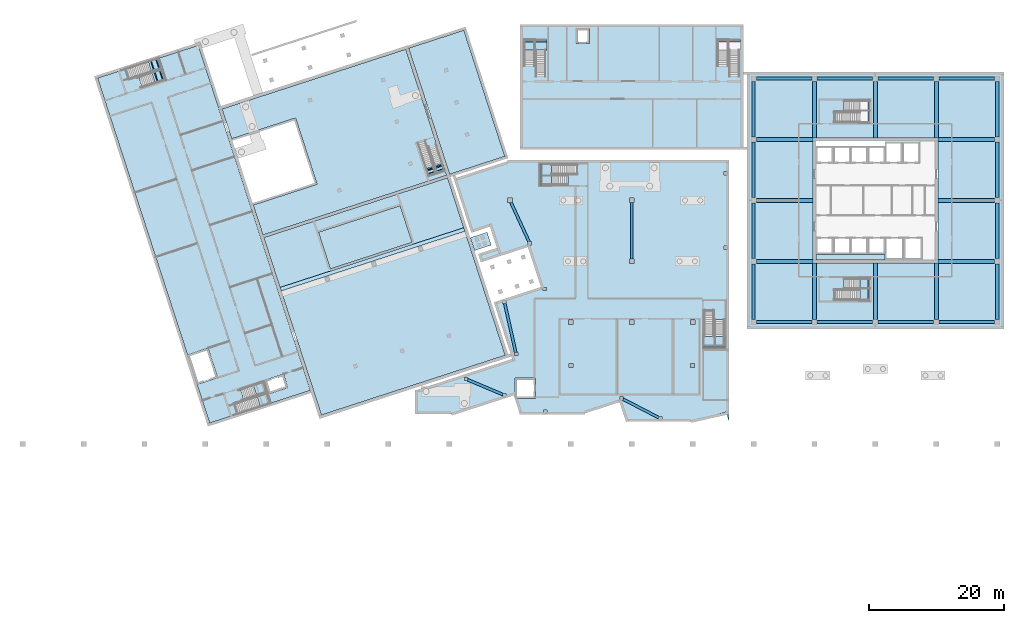
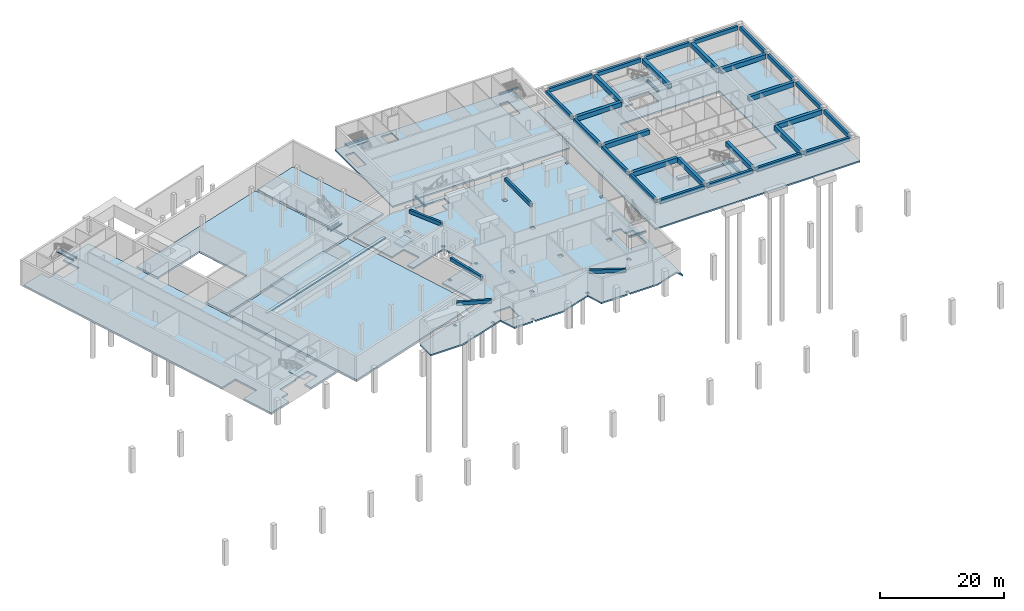
# One storey, part 2 of 15: 43 beams, 18 slabs, 7 elements without a shape of their own.
"""IFC4 building model written with IfcOpenShell, lengths in metres."""

from ifc_helpers import new_model, si_unit, direction, frame, origin, origin_2d, place, context, subcontext, project, spatial, polyline, rectangle, i_section, outline, extrude, material, layer, layer_set, material_profile, profile_set, type_object, element, aggregate, save


model = new_model("IFC4")

# Units and contexts
model_context = context("Model", 3, precision=1e-05, world=origin(), true_north=direction((0.0, 1.0)))
body_context = subcontext(model_context, "Body", "Model", "MODEL_VIEW")
ifc_project = project(units=[si_unit("LENGTHUNIT", "METRE"), si_unit("AREAUNIT", "SQUARE_METRE"), si_unit("VOLUMEUNIT", "CUBIC_METRE"), si_unit("PLANEANGLEUNIT", "RADIAN"), si_unit("MASSUNIT", "GRAM", prefix="KILO")], contexts=[model_context])

# Site, building, storey
site_placement = place(None, origin())
site = spatial("IfcSite", under=ifc_project, at=site_placement, CompositionType="ELEMENT")
building_placement = place(site_placement, origin())
building = spatial("IfcBuilding", under=site, at=building_placement, Name="Tuart Plaza Theatre", CompositionType="ELEMENT")
storey_placement = place(building_placement, frame((0.0, 0.0, -5.0)))
storey = spatial("IfcBuildingStorey", under=building, at=storey_placement, Name="B1", CompositionType="ELEMENT", Elevation=-5.0)

# Beams
ifc_material_1 = material(Name="Steel Grade 300", Category="steel")
ifc_material_profile_1 = material_profile(ifc_material_1, i_section(OverallWidth=0.14599609375, OverallDepth=0.256103515625, WebThickness=0.00634765625, FlangeThickness=0.010986328125, FilletRadius=0.0087890625, at=origin_2d()), Name="250UB37.3")
ifc_profile_set_1 = profile_set([ifc_material_profile_1], Name="Steel Grade 300")
beam_type_1 = type_object("IfcBeamType", Name="BEAM 250UB37.3", PredefinedType="BEAM", material=ifc_profile_set_1)
for number, where, z_axis, x_axis, name in (
    (1, (25.712158203125, 94.8828125, 2.172119140625), (0.309003676349, -0.951060843481, 0.0), (0.951060843481, 0.309003676349, 0.0), "SB15"),
    (2, (24.93701171875, 94.631103515625, 2.172119140625), (0.309003676349, -0.951060843481, 0.0), (0.951060843481, 0.309003676349, 0.0), "SB16"),
):
    element("IfcBeam", number, at=place(storey_placement, frame(where, z_axis=z_axis, x_axis=x_axis)), inside=storey, type_object=beam_type_1, Name=name, PredefinedType="BEAM", context=body_context, shape_type="SweptSolid", body=[
        extrude(i_section(OverallWidth=0.14599609375, OverallDepth=0.256103515625, WebThickness=0.00634765625, FlangeThickness=0.010986328125, FilletRadius=0.0087890625, at=origin_2d()), origin(), (0.0, 0.0, 1.0), 3.35009765625),
    ])
beam_1_placement = place(storey_placement, frame((65.6162109375, 78.399658203125, 2.172119140625), z_axis=(0.951047482505, 0.309044796138, 0.0), x_axis=(-0.309044796138, 0.951047482505, 0.0)))
element("IfcBeam", 3, at=beam_1_placement, inside=storey, type_object=beam_type_1, Name="SB53", PredefinedType="BEAM", context=body_context, shape_type="SweptSolid", body=[
    extrude(i_section(OverallWidth=0.14599609375, OverallDepth=0.256103515625, WebThickness=0.00634765625, FlangeThickness=0.010986328125, FilletRadius=0.0087890625, at=origin_2d()), origin(), (0.0, 0.0, 1.0), 2.6748046875),
])
beam_2_placement = place(storey_placement, frame((65.80615234375, 77.814697265625, 2.172119140625), z_axis=(0.951056198577, 0.309017972208, 0.0), x_axis=(-0.309017972208, 0.951056198577, 0.0)))
element("IfcBeam", 4, at=beam_2_placement, inside=storey, type_object=beam_type_1, Name="SB54", PredefinedType="BEAM", context=body_context, shape_type="SweptSolid", body=[
    extrude(i_section(OverallWidth=0.14599609375, OverallDepth=0.256103515625, WebThickness=0.00634765625, FlangeThickness=0.010986328125, FilletRadius=0.0087890625, at=origin_2d()), origin(), (0.0, 0.0, 1.0), 2.675048828125),
])
ifc_material_2 = material(Name="Concrete N40 (40 MPa)", Category="concrete")
ifc_material_profile_2 = material_profile(ifc_material_2, rectangle(XDim=0.300048828125, YDim=0.300048828125, at=origin_2d()), Name="BEAM 300x300 Concrete N40 (40 MPa)")
ifc_profile_set_2 = profile_set([ifc_material_profile_2], Name="Concrete N40 (40 MPa)")
beam_type_2 = type_object("IfcBeamType", Name="BEAM 300x300 Concrete N40 (40 MPa)", PredefinedType="BEAM", material=ifc_profile_set_2)
beam_3_placement = place(storey_placement, frame((106.60009765625, 52.35205078125, 2.14990234375), z_axis=(1.0, 0.0, 0.0), x_axis=(0.0, 1.0, 0.0)))
element("IfcBeam", 5, at=beam_3_placement, inside=storey, type_object=beam_type_2, Name="RB63", PredefinedType="BEAM", context=body_context, shape_type="SweptSolid", body=[
    extrude(rectangle(XDim=0.300048828125, YDim=0.300048828125, at=origin_2d()), origin(), (0.0, 0.0, 1.0), 3.14990234375),
])
beam_4_placement = place(storey_placement, frame((82.552001953125, 79.35009765625, 2.14990234375), z_axis=(0.0, -1.0, 0.0), x_axis=(1.0, 0.0, 0.0)))
element("IfcBeam", 6, at=beam_4_placement, inside=storey, type_object=beam_type_2, Name="RB65", PredefinedType="BEAM", context=body_context, shape_type="SweptSolid", body=[
    extrude(rectangle(XDim=0.300048828125, YDim=0.300048828125, at=origin_2d()), origin(), (0.0, 0.0, 1.0), 3.150146484375),
])
for number, where, z_axis, x_axis, name in (
    (7, (131.080078125, 59.175048828125, 2.14990234375), (0.0, 1.0, 0.0), (-1.0, 0.0, 0.0), "RB545"),
    (8, (131.080078125, 85.425048828125, 2.14990234375), (0.0, 1.0, 0.0), (-1.0, 0.0, 0.0), "RB547"),
):
    element("IfcBeam", number, at=place(storey_placement, frame(where, z_axis=z_axis, x_axis=x_axis)), inside=storey, type_object=beam_type_2, Name=name, PredefinedType="BEAM", context=body_context, shape_type="SweptSolid", body=[
        extrude(rectangle(XDim=0.300048828125, YDim=0.300048828125, at=origin_2d()), origin(), (0.0, 0.0, 1.0), 3.39990234375),
    ])
for number, where, z_axis, x_axis, name in (
    (9, (79.89990234375, 97.570068359375, 2.14990234375), (1.0, 0.0, 0.0), (0.0, 1.0, 0.0), "RB551"),
    (10, (108.5, 97.570068359375, 2.14990234375), (1.0, 0.0, 0.0), (0.0, 1.0, 0.0), "RB553"),
):
    element("IfcBeam", number, at=place(storey_placement, frame(where, z_axis=z_axis, x_axis=x_axis)), inside=storey, type_object=beam_type_2, Name=name, PredefinedType="BEAM", context=body_context, shape_type="SweptSolid", body=[
        extrude(rectangle(XDim=0.300048828125, YDim=0.300048828125, at=origin_2d()), origin(), (0.0, 0.0, 1.0), 3.60009765625),
    ])
ifc_material_3 = material(Name="Concrete N40 (40 MPa)", Category="concrete")
ifc_material_profile_3 = material_profile(ifc_material_3, rectangle(XDim=0.39990234375, YDim=0.699951171875, at=origin_2d()), Name="BEAM 400x700 Concrete N40 (40 MPa)")
ifc_profile_set_3 = profile_set([ifc_material_profile_3], Name="Concrete N40 (40 MPa)")
beam_type_3 = type_object("IfcBeamType", Name="BEAM 400x700 Concrete N40 (40 MPa)", PredefinedType="BEAM", material=ifc_profile_set_3)
beam_5_placement = place(storey_placement, frame((78.161865234375, 73.64990234375, 4.300048828125), z_axis=(0.419496397919, -0.907757000597, 0.0), x_axis=(0.907757000597, 0.419496397919, 0.0)))
element("IfcBeam", 11, at=beam_5_placement, inside=storey, type_object=beam_type_3, Name="RB432", PredefinedType="BEAM", context=body_context, shape_type="SweptSolid", body=[
    extrude(rectangle(XDim=0.39990234375, YDim=0.699951171875, at=origin_2d()), origin(), (0.0, 0.0, 1.0), 6.3232421875),
])
beam_6_placement = place(storey_placement, frame((96.0, 65.35009765625, 4.300048828125), z_axis=(0.0, 1.0, 0.0), x_axis=(-1.0, 0.0, 0.0)))
element("IfcBeam", 12, at=beam_6_placement, inside=storey, type_object=beam_type_3, Name="RB433", PredefinedType="BEAM", context=body_context, shape_type="SweptSolid", body=[
    extrude(rectangle(XDim=0.39990234375, YDim=0.699951171875, at=origin_2d()), origin(), (0.0, 0.0, 1.0), 8.2998046875),
])
beam_7_placement = place(storey_placement, frame((99.949951171875, 41.909912109375, 4.300048828125), z_axis=(-0.887507502734, 0.46079326448, 0.0), x_axis=(-0.46079326448, -0.887507502734, 0.0)))
element("IfcBeam", 13, at=beam_7_placement, inside=storey, type_object=beam_type_3, Name="RB434", PredefinedType="BEAM", context=body_context, shape_type="SweptSolid", body=[
    extrude(rectangle(XDim=0.39990234375, YDim=0.699951171875, at=origin_2d()), origin(), (0.0, 0.0, 1.0), 5.881591796875),
])
beam_8_placement = place(storey_placement, frame((76.949951171875, 45.30517578125, 4.300048828125), z_axis=(-0.921635375138, 0.388057000058, 0.0), x_axis=(-0.388057000058, -0.921635375138, 0.0)))
element("IfcBeam", 14, at=beam_8_placement, inside=storey, type_object=beam_type_3, Name="RB435", PredefinedType="BEAM", context=body_context, shape_type="SweptSolid", body=[
    extrude(rectangle(XDim=0.39990234375, YDim=0.699951171875, at=origin_2d()), origin(), (0.0, 0.0, 1.0), 5.64208984375),
])
beam_9_placement = place(storey_placement, frame((78.843994140625, 51.550048828125, 4.300048828125), z_axis=(-0.218187204822, 0.975906933909, 0.0), x_axis=(-0.975906933909, -0.218187204822, 0.0)))
element("IfcBeam", 15, at=beam_9_placement, inside=storey, type_object=beam_type_3, Name="RB436", PredefinedType="BEAM", context=body_context, shape_type="SweptSolid", body=[
    extrude(rectangle(XDim=0.39990234375, YDim=0.699951171875, at=origin_2d()), origin(), (0.0, 0.0, 1.0), 7.36279296875),
])
ifc_material_4 = material(Name="Concrete N40 (40 MPa)", Category="concrete")
ifc_material_profile_4 = material_profile(ifc_material_4, rectangle(XDim=0.449951171875, YDim=0.75, at=origin_2d()), Name="BEAM 450x750 Concrete N40 (40 MPa)")
ifc_profile_set_4 = profile_set([ifc_material_profile_4], Name="Concrete N40 (40 MPa)")
beam_type_4 = type_object("IfcBeamType", Name="BEAM 450x750 Concrete N40 (40 MPa)", PredefinedType="BEAM", material=ifc_profile_set_4)
for number, where, z_axis, x_axis, name in (
    (16, (114.0, 56.39990234375, 4.205078125), (0.0, 1.0, 0.0), (-1.0, 0.0, 0.0), "RB94"),
    (17, (114.39990234375, 56.0, 4.205078125), (1.0, 0.0, 0.0), (0.0, 1.0, 0.0), "RB95"),
    (18, (114.0, 65.39990234375, 4.205078125), (0.0, 1.0, 0.0), (-1.0, 0.0, 0.0), "RB96"),
    (19, (114.0, 74.39990234375, 4.205078125), (0.0, 1.0, 0.0), (-1.0, 0.0, 0.0), "RB98"),
    (20, (114.0, 83.39990234375, 4.205078125), (0.0, 1.0, 0.0), (-1.0, 0.0, 0.0), "RB100"),
    (21, (114.39990234375, 92.0, 4.205078125), (1.0, 0.0, 0.0), (0.0, 1.0, 0.0), "RB102"),
    (22, (123.39990234375, 56.0, 4.205078125), (1.0, 0.0, 0.0), (0.0, 1.0, 0.0), "RB104"),
    (23, (123.39990234375, 92.0, 4.205078125), (1.0, 0.0, 0.0), (0.0, 1.0, 0.0), "RB106"),
    (24, (132.39990234375, 56.0, 4.205078125), (1.0, 0.0, 0.0), (0.0, 1.0, 0.0), "RB108"),
    (25, (132.39990234375, 92.0, 4.205078125), (1.0, 0.0, 0.0), (0.0, 1.0, 0.0), "RB110"),
    (26, (141.39990234375, 56.0, 4.205078125), (1.0, 0.0, 0.0), (0.0, 1.0, 0.0), "RB112"),
    (27, (141.39990234375, 92.0, 4.205078125), (1.0, 0.0, 0.0), (0.0, 1.0, 0.0), "RB114"),
    (28, (150.0, 56.39990234375, 4.205078125), (0.0, 1.0, 0.0), (-1.0, 0.0, 0.0), "RB118"),
    (29, (150.0, 65.39990234375, 4.205078125), (0.0, 1.0, 0.0), (-1.0, 0.0, 0.0), "RB119"),
    (30, (150.0, 74.39990234375, 4.205078125), (0.0, 1.0, 0.0), (-1.0, 0.0, 0.0), "RB120"),
    (31, (150.0, 83.39990234375, 4.205078125), (0.0, 1.0, 0.0), (-1.0, 0.0, 0.0), "RB121"),
):
    element("IfcBeam", number, at=place(storey_placement, frame(where, z_axis=z_axis, x_axis=x_axis)), inside=storey, type_object=beam_type_4, Name=name, PredefinedType="BEAM", context=body_context, shape_type="SweptSolid", body=[
        extrude(rectangle(XDim=0.449951171875, YDim=0.75, at=origin_2d()), origin(), (0.0, 0.0, 1.0), 8.2001953125),
    ])
ifc_material_5 = material(Name="Concrete N40 (40 MPa)", Category="concrete")
ifc_material_profile_5 = material_profile(ifc_material_5, rectangle(XDim=0.60009765625, YDim=0.89990234375, at=origin_2d()), Name="BEAM 600x900 Concrete N40 (40 MPa)")
ifc_profile_set_5 = profile_set([ifc_material_profile_5], Name="Concrete N40 (40 MPa)")
beam_type_5 = type_object("IfcBeamType", Name="BEAM 600x900 Concrete N40 (40 MPa)", PredefinedType="BEAM", material=ifc_profile_set_5)
for number, where, z_axis, x_axis, name in (
    (32, (114.39990234375, 65.0, 4.1298828125), (1.0, 0.0, 0.0), (0.0, 1.0, 0.0), "RB97"),
    (33, (114.39990234375, 74.0, 4.1298828125), (1.0, 0.0, 0.0), (0.0, 1.0, 0.0), "RB99"),
    (34, (114.39990234375, 83.0, 4.1298828125), (1.0, 0.0, 0.0), (0.0, 1.0, 0.0), "RB101"),
    (35, (123.0, 56.39990234375, 4.1298828125), (0.0, 1.0, 0.0), (-1.0, 0.0, 0.0), "RB103"),
    (36, (123.0, 83.22509765625, 4.1298828125), (0.0, 1.0, 0.0), (-1.0, 0.0, 0.0), "RB105"),
    (37, (132.0, 56.39990234375, 4.1298828125), (0.0, 1.0, 0.0), (-1.0, 0.0, 0.0), "RB107"),
    (38, (132.0, 83.22509765625, 4.1298828125), (0.0, 1.0, 0.0), (-1.0, 0.0, 0.0), "RB109"),
    (39, (141.0, 56.39990234375, 4.1298828125), (0.0, 1.0, 0.0), (-1.0, 0.0, 0.0), "RB111"),
    (40, (141.0, 83.22509765625, 4.1298828125), (0.0, 1.0, 0.0), (-1.0, 0.0, 0.0), "RB113"),
    (41, (141.22509765625, 65.0, 4.1298828125), (1.0, 0.0, 0.0), (0.0, 1.0, 0.0), "RB115"),
    (42, (141.22509765625, 74.0, 4.1298828125), (1.0, 0.0, 0.0), (0.0, 1.0, 0.0), "RB116"),
    (43, (141.22509765625, 83.0, 4.1298828125), (1.0, 0.0, 0.0), (0.0, 1.0, 0.0), "RB117"),
):
    element("IfcBeam", number, at=place(storey_placement, frame(where, z_axis=z_axis, x_axis=x_axis)), inside=storey, type_object=beam_type_5, Name=name, PredefinedType="BEAM", context=body_context, shape_type="SweptSolid", body=[
        extrude(rectangle(XDim=0.60009765625, YDim=0.89990234375, at=origin_2d()), origin(), (0.0, 0.0, 1.0), 8.375),
    ])

# Slabs
ifc_material_6 = material(Name="Concrete N40 (40 MPa)", Category="concrete")
ifc_layer_1 = layer(ifc_material_6, 0.300048828125)
ifc_layer_set_1 = layer_set([ifc_layer_1], Name="SLAB Base 300 Concrete N40 (40 MPa)")
slab_type_1 = type_object("IfcSlabType", Name="SLAB Base 300 Concrete N40 (40 MPa)", PredefinedType="BASESLAB", material=ifc_layer_set_1)
slab_1_placement = place(storey_placement, frame((0.0, 0.0, 3.199951171875)))
element("IfcSlab", 44, at=slab_1_placement, inside=storey, type_object=slab_type_1, Name="S16", PredefinedType="BASESLAB", context=body_context, shape_type="SweptSolid", body=[
    extrude(outline(polyline([(75.23876953125, 67.391845703125), (74.62060546875, 69.294189453125), (72.14794921875, 68.49072265625), (72.765869140625, 66.588623046875), (75.23876953125, 67.391845703125)])), origin(), (0.0, 0.0, 1.0), 0.300048828125),
])
ifc_material_7 = material(Name="Concrete N40 (40 MPa)", Category="concrete")
ifc_layer_2 = layer(ifc_material_7, 0.35009765625)
ifc_layer_set_2 = layer_set([ifc_layer_2], Name="SLAB Base 350 Concrete N40 (40 MPa)")
slab_type_2 = type_object("IfcSlabType", Name="SLAB Base 350 Concrete N40 (40 MPa)", PredefinedType="BASESLAB", material=ifc_layer_set_2)
slab_2_placement = place(storey_placement, frame((0.0, 0.0, -0.35009765625)))
element("IfcSlab", 45, at=slab_2_placement, inside=storey, type_object=slab_type_2, Name="S20", PredefinedType="BASESLAB", context=body_context, shape_type="SweptSolid", body=[
    extrude(outline(polyline([(77.297119140625, 51.10595703125), (68.77587890625, 77.331298828125), (41.623291015625, 68.5087890625), (50.14453125, 42.283447265625), (77.297119140625, 51.10595703125)])), origin(), (0.0, 0.0, 1.0), 0.35009765625),
])
slab_3_placement = place(storey_placement, frame((0.0, 0.0, -0.35009765625)))
element("IfcSlab", 46, at=slab_3_placement, inside=storey, type_object=slab_type_2, Name="S21", PredefinedType="BASESLAB", context=body_context, shape_type="SweptSolid", body=[
    extrude(outline(polyline([(46.319091796875, 86.174560546875), (49.501953125, 76.378662109375), (40.062744140625, 73.311767578125), (41.499755859375, 68.889404296875), (68.65234375, 77.711669921875), (62.603271484375, 96.32861328125), (35.45068359375, 87.50634765625), (36.8798828125, 83.107666015625), (46.319091796875, 86.174560546875)])), origin(), (0.0, 0.0, 1.0), 0.35009765625),
])
slab_4_placement = place(storey_placement, frame((0.0, 0.0, -0.35009765625)))
element("IfcSlab", 47, at=slab_4_placement, inside=storey, type_object=slab_type_2, Name="S22", PredefinedType="BASESLAB", context=body_context, shape_type="SweptSolid", body=[
    extrude(outline(polyline([(77.235595703125, 80.500732421875), (71.178955078125, 99.141357421875), (63.023681640625, 96.491455078125), (69.080322265625, 77.850830078125), (77.235595703125, 80.500732421875)])), origin(), (0.0, 0.0, 1.0), 0.35009765625),
])
ifc_material_8 = material(Name="Concrete N40 (40 MPa)", Category="concrete")
ifc_layer_3 = layer(ifc_material_8, 0.25)
ifc_layer_set_3 = layer_set([ifc_layer_3], Name="SLAB Floor 250 Concrete N40 (40 MPa)")
slab_type_3 = type_object("IfcSlabType", Name="SLAB Floor 250 Concrete N40 (40 MPa)", PredefinedType="FLOOR", material=ifc_layer_set_3)
slab_5_placement = place(storey_placement, frame((0.0, 0.0, 3.85009765625)))
element("IfcSlab", 48, at=slab_5_placement, inside=storey, type_object=slab_type_3, Name="S47", PredefinedType="FLOOR", context=body_context, shape_type="SweptSolid", body=[
    extrude(outline(polyline([(71.3408203125, 69.4375), (71.1708984375, 69.960693359375), (44.018310546875, 61.13818359375), (44.188232421875, 60.615234375), (71.3408203125, 69.4375)])), origin(), (0.0, 0.0, 1.0), 0.25),
])
ifc_material_9 = material(Name="Concrete N40 (40 MPa)", Category="concrete")
ifc_layer_4 = layer(ifc_material_9, 0.300048828125)
ifc_layer_set_4 = layer_set([ifc_layer_4], Name="SLAB Floor 300 Concrete N40 (40 MPa)")
slab_type_4 = type_object("IfcSlabType", Name="SLAB Floor 300 Concrete N40 (40 MPa)", PredefinedType="FLOOR", material=ifc_layer_set_4)
slab_6_placement = place(storey_placement, frame((0.0, 0.0, -0.300048828125)))
element("IfcSlab", 49, at=slab_6_placement, inside=storey, type_object=slab_type_4, Name="S69", PredefinedType="FLOOR", context=body_context, shape_type="SweptSolid", body=[
    extrude(outline(polyline([(78.36181640625, 50.5634765625), (64.02001953125, 45.903564453125), (64.02001953125, 42.419921875), (69.996826171875, 42.419921875), (78.572265625, 45.206298828125), (79.501220703125, 42.347900390625), (82.949951171875, 42.347900390625), (82.949951171875, 43.030029296875), (83.449951171875, 43.030029296875), (83.449951171875, 42.347900390625), (88.4833984375, 42.347900390625), (94.205810546875, 44.207275390625), (95.134521484375, 41.348876953125), (99.949951171875, 41.348876953125), (99.949951171875, 42.030029296875), (100.449951171875, 42.030029296875), (100.449951171875, 41.348876953125), (105.61669921875, 41.348876953125), (109.91259765625, 42.74462890625), (110.34326171875, 41.419189453125), (110.343017578125, 66.75), (109.659912109375, 66.75), (109.659912109375, 67.25), (110.343017578125, 67.25), (110.343017578125, 77.75), (109.659912109375, 77.75), (109.659912109375, 78.25), (110.343017578125, 78.25), (110.343017578125, 79.967041015625), (78.246826171875, 79.967041015625), (69.70947265625, 77.193115234375), (72.292724609375, 69.2421875), (75.05078125, 70.13818359375), (76.0830078125, 66.9619140625), (73.324951171875, 66.065673828125), (73.71435546875, 64.8671875), (80.656982421875, 67.123046875), (82.585205078125, 61.1884765625), (75.642578125, 58.9326171875), (78.36181640625, 50.5634765625)]), holes=[polyline([(76.931640625, 59.2353515625), (76.931640625, 58.7353515625), (77.431640625, 58.7353515625), (77.431640625, 59.2353515625), (76.931640625, 59.2353515625)]), polyline([(78.75, 44.75), (81.75, 44.75), (81.75, 47.75), (78.75, 47.75), (78.75, 44.75)]), polyline([(77.449951171875, 44.949951171875), (77.449951171875, 45.449951171875), (76.949951171875, 45.449951171875), (76.949951171875, 44.949951171875), (77.449951171875, 44.949951171875)]), polyline([(106.60009765625, 53.949951171875), (106.60009765625, 52.199951171875), (109.75, 52.199951171875), (109.75, 53.949951171875), (109.699951171875, 53.949951171875), (109.699951171875, 56.3798828125), (108.175048828125, 56.3798828125), (108.175048828125, 57.739990234375), (106.64990234375, 57.739990234375), (106.64990234375, 53.949951171875), (106.60009765625, 53.949951171875)]), polyline([(104.64990234375, 56.35009765625), (104.64990234375, 55.64990234375), (105.35009765625, 55.64990234375), (105.35009765625, 56.35009765625), (104.64990234375, 56.35009765625)]), polyline([(104.699951171875, 49.300048828125), (105.300048828125, 49.300048828125), (105.300048828125, 49.89990234375), (104.699951171875, 49.89990234375), (104.699951171875, 49.300048828125)]), polyline([(95.64990234375, 55.64990234375), (96.35009765625, 55.64990234375), (96.35009765625, 56.35009765625), (95.64990234375, 56.35009765625), (95.64990234375, 55.64990234375)]), polyline([(95.64990234375, 65.35009765625), (95.64990234375, 64.64990234375), (96.35009765625, 64.64990234375), (96.35009765625, 65.35009765625), (95.64990234375, 65.35009765625)]), polyline([(95.64990234375, 74.35009765625), (95.64990234375, 73.64990234375), (96.35009765625, 73.64990234375), (96.35009765625, 74.35009765625), (95.64990234375, 74.35009765625)]), polyline([(94.22998046875, 44.5), (94.72998046875, 44.5), (94.72998046875, 45.0), (94.22998046875, 45.0), (94.22998046875, 44.5)]), polyline([(84.14990234375, 76.199951171875), (84.14990234375, 76.25), (86.580078125, 76.25), (86.580078125, 77.77490234375), (87.93994140625, 77.77490234375), (87.93994140625, 79.300048828125), (84.14990234375, 79.300048828125), (84.14990234375, 79.35009765625), (82.39990234375, 79.35009765625), (82.39990234375, 76.199951171875), (84.14990234375, 76.199951171875)]), polyline([(86.64990234375, 56.35009765625), (86.64990234375, 55.64990234375), (87.35009765625, 55.64990234375), (87.35009765625, 56.35009765625), (86.64990234375, 56.35009765625)]), polyline([(86.699951171875, 49.89990234375), (86.699951171875, 49.300048828125), (87.300048828125, 49.300048828125), (87.300048828125, 49.89990234375), (86.699951171875, 49.89990234375)]), polyline([(82.8798828125, 61.159912109375), (82.8798828125, 60.659912109375), (83.3798828125, 60.659912109375), (83.3798828125, 61.159912109375), (82.8798828125, 61.159912109375)]), polyline([(80.679931640625, 67.409912109375), (81.179931640625, 67.409912109375), (81.179931640625, 67.909912109375), (80.679931640625, 67.909912109375), (80.679931640625, 67.409912109375)]), polyline([(78.64990234375, 51.050048828125), (79.14990234375, 51.050048828125), (79.14990234375, 51.550048828125), (78.64990234375, 51.550048828125), (78.64990234375, 51.050048828125)]), polyline([(77.64990234375, 74.35009765625), (77.64990234375, 73.64990234375), (78.35009765625, 73.64990234375), (78.35009765625, 74.35009765625), (77.64990234375, 74.35009765625)]), polyline([(71.25, 47.85009765625), (71.25, 47.35009765625), (71.75, 47.35009765625), (71.75, 47.85009765625), (71.25, 47.85009765625)])]), origin(), (0.0, 0.0, 1.0), 0.300048828125),
])
slab_7_placement = place(storey_placement, frame((0.0, 0.0, -0.300048828125)))
element("IfcSlab", 50, at=slab_7_placement, inside=storey, type_object=slab_type_4, Name="S76", PredefinedType="FLOOR", context=body_context, shape_type="SweptSolid", body=[
    extrude(outline(polyline([(113.0, 93.0), (113.0, 55.0), (151.0, 55.0), (151.0, 93.0), (113.0, 93.0)]), holes=[polyline([(122.77490234375, 64.77490234375), (141.22509765625, 64.77490234375), (141.22509765625, 83.22509765625), (122.77490234375, 83.22509765625), (122.77490234375, 64.77490234375)]), polyline([(131.27001953125, 62.5), (127.389892578125, 62.5), (127.389892578125, 60.875), (125.929931640625, 60.875), (125.929931640625, 59.25), (131.27001953125, 59.25), (131.27001953125, 62.5)]), polyline([(131.27001953125, 85.5), (131.27001953125, 88.75), (127.389892578125, 88.75), (127.389892578125, 87.125), (125.929931640625, 87.125), (125.929931640625, 85.5), (131.27001953125, 85.5)])]), origin(), (0.0, 0.0, 1.0), 0.300048828125),
])
slab_8_placement = place(storey_placement, frame((0.0, 0.0, -0.300048828125)))
element("IfcSlab", 51, at=slab_8_placement, inside=storey, type_object=slab_type_4, Name="S78", PredefinedType="FLOOR", context=body_context, shape_type="SweptSolid", body=[
    extrude(outline(polyline([(123.22509765625, 66.02490234375), (123.22509765625, 65.22509765625), (133.425048828125, 65.22509765625), (133.425048828125, 66.02490234375), (123.22509765625, 66.02490234375)])), origin(), (0.0, 0.0, 1.0), 0.300048828125),
])
slab_9_placement = place(storey_placement, frame((0.0, 0.0, -0.300048828125)))
element("IfcSlab", 52, at=slab_9_placement, inside=storey, type_object=slab_type_4, Name="S109", PredefinedType="FLOOR", context=body_context, shape_type="SweptSolid", body=[
    extrude(outline(polyline([(112.5, 81.5), (112.5, 100.0), (79.5, 100.0), (79.5, 81.5), (112.5, 81.5)]), holes=[polyline([(110.300048828125, 93.820068359375), (110.300048828125, 97.77001953125), (108.675048828125, 97.77001953125), (108.675048828125, 93.820068359375), (110.300048828125, 93.820068359375)]), polyline([(87.739990234375, 97.199951171875), (89.739990234375, 97.199951171875), (89.739990234375, 99.39990234375), (87.739990234375, 99.39990234375), (87.739990234375, 97.199951171875)]), polyline([(81.699951171875, 93.820068359375), (81.699951171875, 97.77001953125), (80.074951171875, 97.77001953125), (80.074951171875, 93.820068359375), (81.699951171875, 93.820068359375)])]), origin(), (0.0, 0.0, 1.0), 0.300048828125),
])
ifc_material_10 = material(Name="Concrete N40 (40 MPa)", Category="concrete")
ifc_layer_5 = layer(ifc_material_10, 0.35009765625)
ifc_layer_set_5 = layer_set([ifc_layer_5], Name="SLAB Floor 350 Concrete N40 (40 MPa)")
slab_type_5 = type_object("IfcSlabType", Name="SLAB Floor 350 Concrete N40 (40 MPa)", PredefinedType="FLOOR", material=ifc_layer_set_5)
slab_10_placement = place(storey_placement, frame((0.0, 0.0, -0.35009765625)))
element("IfcSlab", 53, at=slab_10_placement, inside=storey, type_object=slab_type_5, Name="S19", PredefinedType="FLOOR", context=body_context, shape_type="SweptSolid", body=[
    extrude(outline(polyline([(17.064453125, 92.0732421875), (30.352294921875, 51.177734375), (33.395751953125, 52.16650390625), (34.817138671875, 47.791748046875), (31.773681640625, 46.802978515625), (33.6279296875, 41.096435546875), (37.726806640625, 42.428466796875), (37.217041015625, 43.99755859375), (38.70068359375, 44.479736328125), (38.17529296875, 46.096435546875), (41.627685546875, 47.21826171875), (41.61279296875, 47.263916015625), (41.80322265625, 47.32568359375), (41.771484375, 47.422607421875), (44.529541015625, 48.31884765625), (45.178466796875, 46.321533203125), (42.27783203125, 45.379150390625), (42.71044921875, 44.047607421875), (48.511962890625, 45.9326171875), (31.948486328125, 96.9091796875), (26.147216796875, 95.024169921875), (27.197265625, 91.79248046875), (27.149658203125, 91.777099609375), (27.134765625, 91.82275390625), (23.6826171875, 90.700927734375), (23.1572265625, 92.31787109375), (21.673583984375, 91.835693359375), (21.16357421875, 93.405029296875), (17.064453125, 92.0732421875)])), origin(), (0.0, 0.0, 1.0), 0.35009765625),
])
ifc_material_11 = material(Name="Concrete N40 (40 MPa)", Category="concrete")
ifc_layer_6 = layer(ifc_material_11, 0.39990234375)
ifc_layer_set_6 = layer_set([ifc_layer_6], Name="SLAB Floor 400 Concrete N40 (40 MPa)")
slab_type_6 = type_object("IfcSlabType", Name="SLAB Floor 400 Concrete N40 (40 MPa)", PredefinedType="FLOOR", material=ifc_layer_set_6)
slab_11_placement = place(storey_placement, frame((0.0, 0.0, 2.10009765625)))
element("IfcSlab", 54, at=slab_11_placement, inside=storey, type_object=slab_type_6, Name="S50", PredefinedType="FLOOR", context=body_context, shape_type="SweptSolid", body=[
    extrude(outline(polyline([(63.541015625, 67.797119140625), (61.779541015625, 73.218017578125), (49.701171875, 69.29345703125), (51.462646484375, 63.87255859375), (63.541015625, 67.797119140625)])), origin(), (0.0, 0.0, 1.0), 0.39990234375),
])

# Stair, slab
ifc_material_12 = material(Name="Concrete N40 (40 MPa)", Category="concrete")
stair_type_1 = type_object("IfcStairType", Name="STAIR half turn 1600", PredefinedType="HALF_TURN_STAIR", material=ifc_material_12)
stair_1_placement = place(storey_placement, origin())
stair_1 = element("IfcStair", 55, at=stair_1_placement, inside=storey, type_object=stair_type_1, Name="SA-1", PredefinedType="HALF_TURN_STAIR")
ifc_material_13 = material(Name="Concrete N40 (40 MPa)", Category="concrete")
ifc_layer_7 = layer(ifc_material_13, 0.199951171875)
ifc_layer_set_7 = layer_set([ifc_layer_7], Name="STAIR LANDING 200")
slab_type_7 = type_object("IfcSlabType", Name="STAIR LANDING 200", PredefinedType="LANDING", material=ifc_layer_set_7)
slab_12_placement = place(storey_placement, frame((0.0, 0.0, 2.300048828125)))
slab_12 = element("IfcSlab", 56, at=slab_12_placement, type_object=slab_type_7, Name="SA-1 landing 1", PredefinedType="LANDING", context=body_context, shape_type="SweptSolid", body=[
    extrude(outline(polyline([(41.120361328125, 43.504638671875), (42.670654296875, 44.00830078125), (41.62841796875, 47.21630859375), (40.078125, 46.712646484375), (41.120361328125, 43.504638671875)])), origin(), (0.0, 0.0, 1.0), 0.199951171875),
])
aggregate(stair_1, [slab_12])

stair_2_placement = place(storey_placement, origin())
stair_2 = element("IfcStair", 57, at=stair_2_placement, inside=storey, type_object=stair_type_1, Name="SA-2", PredefinedType="HALF_TURN_STAIR")
slab_13_placement = place(storey_placement, frame((0.0, 0.0, 2.300048828125)))
slab_13 = element("IfcSlab", 58, at=slab_13_placement, type_object=slab_type_7, Name="SA-2 landing 1", PredefinedType="LANDING", context=body_context, shape_type="SweptSolid", body=[
    extrude(outline(polyline([(24.541748046875, 94.52880859375), (26.091796875, 95.032470703125), (27.13427734375, 91.82470703125), (25.583984375, 91.321044921875), (24.541748046875, 94.52880859375)])), origin(), (0.0, 0.0, 1.0), 0.199951171875),
])
aggregate(stair_2, [slab_13])

ifc_material_14 = material(Name="Concrete N40 (40 MPa)", Category="concrete")
stair_type_2 = type_object("IfcStairType", Name="STAIR half turn 1200", PredefinedType="HALF_TURN_STAIR", material=ifc_material_14)
stair_3_placement = place(storey_placement, origin())
stair_3 = element("IfcStair", 59, at=stair_3_placement, inside=storey, type_object=stair_type_2, Name="SA-6", PredefinedType="HALF_TURN_STAIR")
slab_14_placement = place(storey_placement, frame((0.0, 0.0, 2.300048828125)))
slab_14 = element("IfcSlab", 60, at=slab_14_placement, type_object=slab_type_7, Name="SA-6 landing 1", PredefinedType="LANDING", context=body_context, shape_type="SweptSolid", body=[
    extrude(outline(polyline([(65.52294921875, 78.69287109375), (65.903076171875, 77.52294921875), (68.443359375, 78.348388671875), (68.063232421875, 79.51806640625), (65.52294921875, 78.69287109375)])), origin(), (0.0, 0.0, 1.0), 0.199951171875),
])
aggregate(stair_3, [slab_14])

ifc_material_15 = material(Name="Concrete N40 (40 MPa)", Category="concrete")
stair_type_3 = type_object("IfcStairType", Name="STAIR half turn 1400", PredefinedType="HALF_TURN_STAIR", material=ifc_material_15)
stair_4_placement = place(storey_placement, origin())
stair_4 = element("IfcStair", 61, at=stair_4_placement, inside=storey, type_object=stair_type_3, Name="SB-12", PredefinedType="HALF_TURN_STAIR")
slab_15_placement = place(storey_placement, frame((0.0, 0.0, 2.300048828125)))
slab_15 = element("IfcSlab", 62, at=slab_15_placement, type_object=slab_type_7, Name="SB-12 landing 1", PredefinedType="LANDING", context=body_context, shape_type="SweptSolid", body=[
    extrude(outline(polyline([(106.60205078125, 53.89990234375), (106.60205078125, 52.201904296875), (109.748046875, 52.201904296875), (109.748046875, 53.89990234375), (106.60205078125, 53.89990234375)])), origin(), (0.0, 0.0, 1.0), 0.199951171875),
])
aggregate(stair_4, [slab_15])

stair_5_placement = place(storey_placement, origin())
stair_5 = element("IfcStair", 63, at=stair_5_placement, inside=storey, type_object=stair_type_3, Name="SB-14", PredefinedType="HALF_TURN_STAIR")
slab_16_placement = place(storey_placement, frame((0.0, 0.0, 2.300048828125)))
slab_16 = element("IfcSlab", 64, at=slab_16_placement, type_object=slab_type_7, Name="SB-14 landing 1", PredefinedType="LANDING", context=body_context, shape_type="SweptSolid", body=[
    extrude(outline(polyline([(84.10009765625, 79.347900390625), (82.402099609375, 79.347900390625), (82.402099609375, 76.201904296875), (84.10009765625, 76.201904296875), (84.10009765625, 79.347900390625)])), origin(), (0.0, 0.0, 1.0), 0.199951171875),
])
aggregate(stair_5, [slab_16])

ifc_material_16 = material(Name="Concrete N40 (40 MPa)", Category="concrete")
stair_type_4 = type_object("IfcStairType", Name="STAIR half turn 1500", PredefinedType="HALF_TURN_STAIR", material=ifc_material_16)
stair_6_placement = place(storey_placement, origin())
stair_6 = element("IfcStair", 65, at=stair_6_placement, inside=storey, type_object=stair_type_4, Name="SC-20", PredefinedType="HALF_TURN_STAIR")
slab_17_placement = place(storey_placement, frame((0.0, 0.0, 2.300048828125)))
slab_17 = element("IfcSlab", 66, at=slab_17_placement, type_object=slab_type_7, Name="SC-20 landing 1", PredefinedType="LANDING", context=body_context, shape_type="SweptSolid", body=[
    extrude(outline(polyline([(129.699951171875, 59.177001953125), (131.22998046875, 59.177001953125), (131.22998046875, 62.572998046875), (129.699951171875, 62.572998046875), (129.699951171875, 59.177001953125)])), origin(), (0.0, 0.0, 1.0), 0.199951171875),
])
aggregate(stair_6, [slab_17])

stair_7_placement = place(storey_placement, origin())
stair_7 = element("IfcStair", 67, at=stair_7_placement, inside=storey, type_object=stair_type_4, Name="SD-1", PredefinedType="HALF_TURN_STAIR")
slab_18_placement = place(storey_placement, frame((0.0, 0.0, 2.300048828125)))
slab_18 = element("IfcSlab", 68, at=slab_18_placement, type_object=slab_type_7, Name="SD-1 landing 1", PredefinedType="LANDING", context=body_context, shape_type="SweptSolid", body=[
    extrude(outline(polyline([(83.498046875, 96.199951171875), (83.498046875, 97.72998046875), (79.902099609375, 97.72998046875), (79.902099609375, 96.199951171875), (83.498046875, 96.199951171875)])), origin(), (0.0, 0.0, 1.0), 0.199951171875),
])
aggregate(stair_7, [slab_18])

save(model, "model.ifc")
